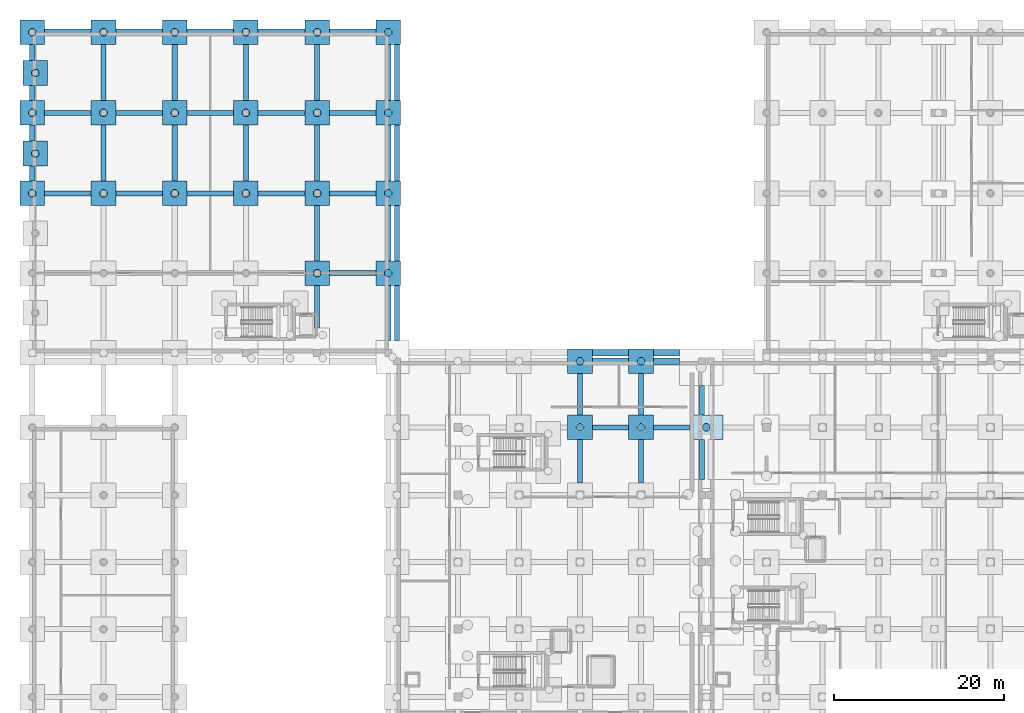
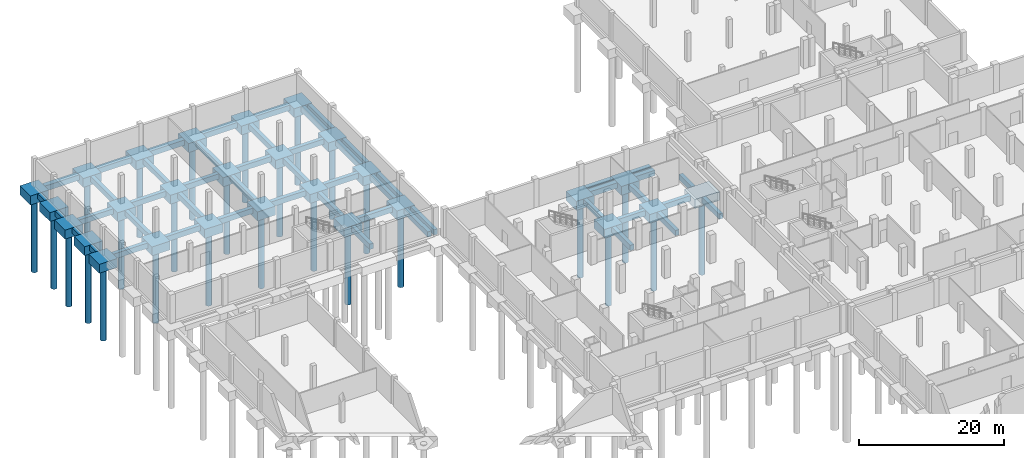
# One storey, part 8 of 29: 77 footings, 27 piles.
"""IFC4 building model written with IfcOpenShell, lengths in metres."""

from ifc_helpers import new_model, si_unit, direction, frame, origin, origin_2d, place, context, subcontext, project, spatial, polyline, rectangle, circle, outline, extrude, material, material_profile, profile_set, type_object, element, save


model = new_model("IFC4")

# Units and contexts
model_context = context("Model", 3, precision=1e-05, world=origin(), true_north=direction((0.0, 1.0)))
body_context = subcontext(model_context, "Body", "Model", "MODEL_VIEW")
ifc_project = project(units=[si_unit("LENGTHUNIT", "METRE"), si_unit("AREAUNIT", "SQUARE_METRE"), si_unit("VOLUMEUNIT", "CUBIC_METRE"), si_unit("PLANEANGLEUNIT", "RADIAN"), si_unit("MASSUNIT", "GRAM", prefix="KILO")], contexts=[model_context])

# Site, building, storey
site_placement = place(None, origin())
site = spatial("IfcSite", under=ifc_project, at=site_placement, CompositionType="ELEMENT")
building_placement = place(site_placement, origin())
building = spatial("IfcBuilding", under=site, at=building_placement, Name="Kelarvand Opera House", CompositionType="ELEMENT")
storey_placement = place(building_placement, frame((0.0, 0.0, -9.60009765625)))
storey = spatial("IfcBuildingStorey", under=building, at=storey_placement, Name="B2", CompositionType="ELEMENT", Elevation=-9.60009765625)

# Piles
ifc_material = material(Name="Concrete C40/50", Category="concrete")
ifc_material_profile = material_profile(ifc_material, circle(Radius=0.449951171875, at=origin_2d()), Name="BP 900", Category="concrete")
ifc_profile_set = profile_set([ifc_material_profile], Name="Concrete C40/50")
pile_type = type_object("IfcPileType", Name="Bored Pile 900 Concrete C40/50", PredefinedType="BORED", material=ifc_profile_set)
for number, where, z_axis, x_axis, name in (
    (1, (73.60009765625, 78.39990234375, -1.7998046875), (0.0, 0.0, -1.0), (1.0, 0.0, 0.0), "V2 Bored Pile 205"),
    (2, (80.800048828125, 78.39990234375, -1.7998046875), (0.0, 0.0, -1.0), (1.0, 0.0, 0.0), "V2 Bored Pile 206"),
    (3, (88.5, 78.39990234375, -1.7998046875), (0.0, 0.0, -1.0), (1.0, 0.0, 0.0), "V1 Bored Pile 207"),
    (4, (73.60009765625, 86.199951171875, -1.7998046875), (0.0, 0.0, -1.0), (1.0, 0.0, 0.0), "V2 Bored Pile 219"),
    (5, (80.800048828125, 86.199951171875, -1.7998046875), (0.0, 0.0, -1.0), (1.0, 0.0, 0.0), "V2 Bored Pile 220"),
    (6, (42.60009765625, 96.60009765625, -1.7998046875), (0.0, 0.0, -1.0), (1.0, 0.0, 0.0), "V3 Bored Pile 250"),
    (7, (51.0, 96.60009765625, -1.7998046875), (0.0, 0.0, -1.0), (1.0, 0.0, 0.0), "V3 Bored Pile 251"),
    (8, (9.0, 106.0, -1.7998046875), (0.0, 0.0, -1.0), (1.0, 0.0, 0.0), "V3 Bored Pile 260"),
    (9, (17.39990234375, 106.0, -1.7998046875), (0.0, 0.0, -1.0), (1.0, 0.0, 0.0), "V3 Bored Pile 261"),
    (10, (25.800048828125, 106.0, -1.7998046875), (0.0, 0.0, -1.0), (1.0, 0.0, 0.0), "V3 Bored Pile 262"),
    (11, (34.199951171875, 106.0, -1.7998046875), (0.0, 0.0, -1.0), (1.0, 0.0, 0.0), "V3 Bored Pile 263"),
    (12, (42.60009765625, 106.0, -1.7998046875), (0.0, 0.0, -1.0), (1.0, 0.0, 0.0), "V3 Bored Pile 264"),
    (13, (51.0, 106.0, -1.7998046875), (0.0, 0.0, -1.0), (1.0, 0.0, 0.0), "V3 Bored Pile 265"),
    (14, (9.35009765625, 110.699951171875, -1.7998046875), (0.0, 0.0, -1.0), (1.0, 0.0, 0.0), "V3 Bored Pile 273"),
    (15, (9.0, 115.5, -1.7998046875), (0.0, 0.0, -1.0), (1.0, 0.0, 0.0), "V3 Bored Pile 274"),
    (16, (17.39990234375, 115.5, -1.7998046875), (0.0, 0.0, -1.0), (1.0, 0.0, 0.0), "V3 Bored Pile 275"),
    (17, (25.800048828125, 115.5, -1.7998046875), (0.0, 0.0, -1.0), (1.0, 0.0, 0.0), "V3 Bored Pile 276"),
    (18, (34.199951171875, 115.5, -1.7998046875), (0.0, 0.0, -1.0), (1.0, 0.0, 0.0), "V3 Bored Pile 277"),
    (19, (42.60009765625, 115.5, -1.7998046875), (0.0, 0.0, -1.0), (1.0, 0.0, 0.0), "V3 Bored Pile 278"),
    (20, (51.0, 115.5, -1.7998046875), (0.0, 0.0, -1.0), (1.0, 0.0, 0.0), "V3 Bored Pile 279"),
    (21, (9.35009765625, 120.199951171875, -1.7998046875), (0.0, 0.0, -1.0), (1.0, 0.0, 0.0), "V3 Bored Pile 287"),
    (22, (9.0, 125.0, -1.7998046875), (0.0, 0.0, -1.0), (1.0, 0.0, 0.0), "V3 Bored Pile 288"),
    (23, (17.39990234375, 125.0, -1.7998046875), (0.0, 0.0, -1.0), (1.0, 0.0, 0.0), "V3 Bored Pile 289"),
    (24, (25.800048828125, 125.0, -1.7998046875), (0.0, 0.0, -1.0), (1.0, 0.0, 0.0), "V3 Bored Pile 290"),
    (25, (34.199951171875, 125.0, -1.7998046875), (0.0, 0.0, -1.0), (1.0, 0.0, 0.0), "V3 Bored Pile 291"),
    (26, (42.60009765625, 125.0, -1.7998046875), (0.0, 0.0, -1.0), (1.0, 0.0, 0.0), "V3 Bored Pile 292"),
    (27, (51.0, 125.0, -1.7998046875), (0.0, 0.0, -1.0), (1.0, 0.0, 0.0), "V3 Bored Pile 293"),
):
    element("IfcPile", number, at=place(storey_placement, frame(where, z_axis=z_axis, x_axis=x_axis)), inside=storey, type_object=pile_type, Name=name, PredefinedType="BORED", context=body_context, shape_type="SweptSolid", body=[
        extrude(circle(Radius=0.449951171875, at=origin_2d()), origin(), (0.0, 0.0, 1.0), 12.60009765625),
    ])

# Footings
footing_type_1 = type_object("IfcFootingType", Name="Ground Tie Beam 600x900 Concrete C40/50", PredefinedType="FOOTING_BEAM", material=ifc_material)
footing_1_placement = place(storey_placement, frame((0.0, 0.0, -1.2998046875)))
element("IfcFooting", 28, at=footing_1_placement, inside=storey, type_object=footing_type_1, Name="Ground Beam 175", PredefinedType="FOOTING_BEAM", context=body_context, shape_type="SweptSolid", body=[
    extrude(outline(polyline([(75.050048828125, 78.10009765625), (79.35009765625, 78.10009765625), (79.35009765625, 78.699951171875), (75.050048828125, 78.699951171875), (75.050048828125, 78.10009765625)])), origin(), (0.0, 0.0, 1.0), 0.89990234375),
])
footing_2_placement = place(storey_placement, frame((0.0, 0.0, -1.2998046875)))
element("IfcFooting", 29, at=footing_2_placement, inside=storey, type_object=footing_type_1, Name="Ground Beam 176", PredefinedType="FOOTING_BEAM", context=body_context, shape_type="SweptSolid", body=[
    extrude(outline(polyline([(82.25, 78.10009765625), (86.550048828125, 78.10009765625), (86.550048828125, 78.699951171875), (82.25, 78.699951171875), (82.25, 78.10009765625)])), origin(), (0.0, 0.0, 1.0), 0.89990234375),
])
footing_3_placement = place(storey_placement, frame((0.0, 0.0, -1.2998046875)))
element("IfcFooting", 30, at=footing_3_placement, inside=storey, type_object=footing_type_1, Name="Ground Beam 223", PredefinedType="FOOTING_BEAM", context=body_context, shape_type="SweptSolid", body=[
    extrude(outline(polyline([(44.050048828125, 96.300048828125), (49.550048828125, 96.300048828125), (49.550048828125, 96.89990234375), (44.050048828125, 96.89990234375), (44.050048828125, 96.300048828125)])), origin(), (0.0, 0.0, 1.0), 0.89990234375),
])
footing_4_placement = place(storey_placement, frame((0.0, 0.0, -1.2998046875)))
element("IfcFooting", 31, at=footing_4_placement, inside=storey, type_object=footing_type_1, Name="Ground Beam 230", PredefinedType="FOOTING_BEAM", context=body_context, shape_type="SweptSolid", body=[
    extrude(outline(polyline([(10.449951171875, 105.699951171875), (15.949951171875, 105.699951171875), (15.949951171875, 106.300048828125), (10.449951171875, 106.300048828125), (10.449951171875, 105.699951171875)])), origin(), (0.0, 0.0, 1.0), 0.89990234375),
])
footing_5_placement = place(storey_placement, frame((0.0, 0.0, -1.2998046875)))
element("IfcFooting", 32, at=footing_5_placement, inside=storey, type_object=footing_type_1, Name="Ground Beam 231", PredefinedType="FOOTING_BEAM", context=body_context, shape_type="SweptSolid", body=[
    extrude(outline(polyline([(18.85009765625, 105.699951171875), (24.35009765625, 105.699951171875), (24.35009765625, 106.300048828125), (18.85009765625, 106.300048828125), (18.85009765625, 105.699951171875)])), origin(), (0.0, 0.0, 1.0), 0.89990234375),
])
footing_6_placement = place(storey_placement, frame((0.0, 0.0, -1.2998046875)))
element("IfcFooting", 33, at=footing_6_placement, inside=storey, type_object=footing_type_1, Name="Ground Beam 232", PredefinedType="FOOTING_BEAM", context=body_context, shape_type="SweptSolid", body=[
    extrude(outline(polyline([(27.25, 105.699951171875), (32.75, 105.699951171875), (32.75, 106.300048828125), (27.25, 106.300048828125), (27.25, 105.699951171875)])), origin(), (0.0, 0.0, 1.0), 0.89990234375),
])
footing_7_placement = place(storey_placement, frame((0.0, 0.0, -1.2998046875)))
element("IfcFooting", 34, at=footing_7_placement, inside=storey, type_object=footing_type_1, Name="Ground Beam 233", PredefinedType="FOOTING_BEAM", context=body_context, shape_type="SweptSolid", body=[
    extrude(outline(polyline([(35.64990234375, 105.699951171875), (41.14990234375, 105.699951171875), (41.14990234375, 106.300048828125), (35.64990234375, 106.300048828125), (35.64990234375, 105.699951171875)])), origin(), (0.0, 0.0, 1.0), 0.89990234375),
])
footing_8_placement = place(storey_placement, frame((0.0, 0.0, -1.2998046875)))
element("IfcFooting", 35, at=footing_8_placement, inside=storey, type_object=footing_type_1, Name="Ground Beam 234", PredefinedType="FOOTING_BEAM", context=body_context, shape_type="SweptSolid", body=[
    extrude(outline(polyline([(44.050048828125, 105.699951171875), (49.550048828125, 105.699951171875), (49.550048828125, 106.300048828125), (44.050048828125, 106.300048828125), (44.050048828125, 105.699951171875)])), origin(), (0.0, 0.0, 1.0), 0.89990234375),
])
footing_9_placement = place(storey_placement, frame((0.0, 0.0, -1.2998046875)))
element("IfcFooting", 36, at=footing_9_placement, inside=storey, type_object=footing_type_1, Name="Ground Beam 241", PredefinedType="FOOTING_BEAM", context=body_context, shape_type="SweptSolid", body=[
    extrude(outline(polyline([(10.449951171875, 115.199951171875), (15.949951171875, 115.199951171875), (15.949951171875, 115.800048828125), (10.449951171875, 115.800048828125), (10.449951171875, 115.199951171875)])), origin(), (0.0, 0.0, 1.0), 0.89990234375),
])
footing_10_placement = place(storey_placement, frame((0.0, 0.0, -1.2998046875)))
element("IfcFooting", 37, at=footing_10_placement, inside=storey, type_object=footing_type_1, Name="Ground Beam 242", PredefinedType="FOOTING_BEAM", context=body_context, shape_type="SweptSolid", body=[
    extrude(outline(polyline([(18.85009765625, 115.199951171875), (24.35009765625, 115.199951171875), (24.35009765625, 115.800048828125), (18.85009765625, 115.800048828125), (18.85009765625, 115.199951171875)])), origin(), (0.0, 0.0, 1.0), 0.89990234375),
])
footing_11_placement = place(storey_placement, frame((0.0, 0.0, -1.2998046875)))
element("IfcFooting", 38, at=footing_11_placement, inside=storey, type_object=footing_type_1, Name="Ground Beam 243", PredefinedType="FOOTING_BEAM", context=body_context, shape_type="SweptSolid", body=[
    extrude(outline(polyline([(27.25, 115.199951171875), (32.75, 115.199951171875), (32.75, 115.800048828125), (27.25, 115.800048828125), (27.25, 115.199951171875)])), origin(), (0.0, 0.0, 1.0), 0.89990234375),
])
footing_12_placement = place(storey_placement, frame((0.0, 0.0, -1.2998046875)))
element("IfcFooting", 39, at=footing_12_placement, inside=storey, type_object=footing_type_1, Name="Ground Beam 244", PredefinedType="FOOTING_BEAM", context=body_context, shape_type="SweptSolid", body=[
    extrude(outline(polyline([(35.64990234375, 115.199951171875), (41.14990234375, 115.199951171875), (41.14990234375, 115.800048828125), (35.64990234375, 115.800048828125), (35.64990234375, 115.199951171875)])), origin(), (0.0, 0.0, 1.0), 0.89990234375),
])
footing_13_placement = place(storey_placement, frame((0.0, 0.0, -1.2998046875)))
element("IfcFooting", 40, at=footing_13_placement, inside=storey, type_object=footing_type_1, Name="Ground Beam 245", PredefinedType="FOOTING_BEAM", context=body_context, shape_type="SweptSolid", body=[
    extrude(outline(polyline([(44.050048828125, 115.199951171875), (49.550048828125, 115.199951171875), (49.550048828125, 115.800048828125), (44.050048828125, 115.800048828125), (44.050048828125, 115.199951171875)])), origin(), (0.0, 0.0, 1.0), 0.89990234375),
])
footing_14_placement = place(storey_placement, frame((0.0, 0.0, -1.2998046875)))
element("IfcFooting", 41, at=footing_14_placement, inside=storey, type_object=footing_type_1, Name="Ground Beam 273", PredefinedType="FOOTING_BEAM", context=body_context, shape_type="SweptSolid", body=[
    extrude(outline(polyline([(8.699951171875, 107.449951171875), (9.300048828125, 107.449951171875), (9.300048828125, 109.25), (8.699951171875, 109.25), (8.699951171875, 107.449951171875)])), origin(), (0.0, 0.0, 1.0), 0.89990234375),
])
footing_15_placement = place(storey_placement, frame((0.0, 0.0, -1.2998046875)))
element("IfcFooting", 42, at=footing_15_placement, inside=storey, type_object=footing_type_1, Name="Ground Beam 274", PredefinedType="FOOTING_BEAM", context=body_context, shape_type="SweptSolid", body=[
    extrude(outline(polyline([(8.699951171875, 112.14990234375), (9.300048828125, 112.14990234375), (9.300048828125, 114.050048828125), (8.699951171875, 114.050048828125), (8.699951171875, 112.14990234375)])), origin(), (0.0, 0.0, 1.0), 0.89990234375),
])
footing_16_placement = place(storey_placement, frame((0.0, 0.0, -1.2998046875)))
element("IfcFooting", 43, at=footing_16_placement, inside=storey, type_object=footing_type_1, Name="Ground Beam 275", PredefinedType="FOOTING_BEAM", context=body_context, shape_type="SweptSolid", body=[
    extrude(outline(polyline([(8.699951171875, 116.949951171875), (9.300048828125, 116.949951171875), (9.300048828125, 118.75), (8.699951171875, 118.75), (8.699951171875, 116.949951171875)])), origin(), (0.0, 0.0, 1.0), 0.89990234375),
])
footing_17_placement = place(storey_placement, frame((0.0, 0.0, -1.2998046875)))
element("IfcFooting", 44, at=footing_17_placement, inside=storey, type_object=footing_type_1, Name="Ground Beam 276", PredefinedType="FOOTING_BEAM", context=body_context, shape_type="SweptSolid", body=[
    extrude(outline(polyline([(8.699951171875, 121.64990234375), (9.300048828125, 121.64990234375), (9.300048828125, 123.550048828125), (8.699951171875, 123.550048828125), (8.699951171875, 121.64990234375)])), origin(), (0.0, 0.0, 1.0), 0.89990234375),
])
footing_18_placement = place(storey_placement, frame((0.0, 0.0, -1.2998046875)))
element("IfcFooting", 45, at=footing_18_placement, inside=storey, type_object=footing_type_1, Name="Ground Beam 289", PredefinedType="FOOTING_BEAM", context=body_context, shape_type="SweptSolid", body=[
    extrude(outline(polyline([(17.10009765625, 107.449951171875), (17.699951171875, 107.449951171875), (17.699951171875, 114.050048828125), (17.10009765625, 114.050048828125), (17.10009765625, 107.449951171875)])), origin(), (0.0, 0.0, 1.0), 0.89990234375),
])
footing_19_placement = place(storey_placement, frame((0.0, 0.0, -1.2998046875)))
element("IfcFooting", 46, at=footing_19_placement, inside=storey, type_object=footing_type_1, Name="Ground Beam 290", PredefinedType="FOOTING_BEAM", context=body_context, shape_type="SweptSolid", body=[
    extrude(outline(polyline([(17.10009765625, 116.949951171875), (17.699951171875, 116.949951171875), (17.699951171875, 123.550048828125), (17.10009765625, 123.550048828125), (17.10009765625, 116.949951171875)])), origin(), (0.0, 0.0, 1.0), 0.89990234375),
])
footing_20_placement = place(storey_placement, frame((0.0, 0.0, -1.2998046875)))
element("IfcFooting", 47, at=footing_20_placement, inside=storey, type_object=footing_type_1, Name="Ground Beam 303", PredefinedType="FOOTING_BEAM", context=body_context, shape_type="SweptSolid", body=[
    extrude(outline(polyline([(25.5, 107.449951171875), (26.10009765625, 107.449951171875), (26.10009765625, 114.050048828125), (25.5, 114.050048828125), (25.5, 107.449951171875)])), origin(), (0.0, 0.0, 1.0), 0.89990234375),
])
footing_21_placement = place(storey_placement, frame((0.0, 0.0, -1.2998046875)))
element("IfcFooting", 48, at=footing_21_placement, inside=storey, type_object=footing_type_1, Name="Ground Beam 304", PredefinedType="FOOTING_BEAM", context=body_context, shape_type="SweptSolid", body=[
    extrude(outline(polyline([(25.5, 116.949951171875), (26.10009765625, 116.949951171875), (26.10009765625, 123.550048828125), (25.5, 123.550048828125), (25.5, 116.949951171875)])), origin(), (0.0, 0.0, 1.0), 0.89990234375),
])
footing_22_placement = place(storey_placement, frame((0.0, 0.0, -1.2998046875)))
element("IfcFooting", 49, at=footing_22_placement, inside=storey, type_object=footing_type_1, Name="Ground Beam 311", PredefinedType="FOOTING_BEAM", context=body_context, shape_type="SweptSolid", body=[
    extrude(outline(polyline([(33.89990234375, 107.449951171875), (34.5, 107.449951171875), (34.5, 114.050048828125), (33.89990234375, 114.050048828125), (33.89990234375, 107.449951171875)])), origin(), (0.0, 0.0, 1.0), 0.89990234375),
])
footing_23_placement = place(storey_placement, frame((0.0, 0.0, -1.2998046875)))
element("IfcFooting", 50, at=footing_23_placement, inside=storey, type_object=footing_type_1, Name="Ground Beam 312", PredefinedType="FOOTING_BEAM", context=body_context, shape_type="SweptSolid", body=[
    extrude(outline(polyline([(33.89990234375, 116.949951171875), (34.5, 116.949951171875), (34.5, 123.550048828125), (33.89990234375, 123.550048828125), (33.89990234375, 116.949951171875)])), origin(), (0.0, 0.0, 1.0), 0.89990234375),
])
footing_24_placement = place(storey_placement, frame((0.0, 0.0, -1.2998046875)))
element("IfcFooting", 51, at=footing_24_placement, inside=storey, type_object=footing_type_1, Name="Ground Beam 317", PredefinedType="FOOTING_BEAM", context=body_context, shape_type="SweptSolid", body=[
    extrude(outline(polyline([(42.300048828125, 90.10009765625), (42.89990234375, 90.10009765625), (42.89990234375, 95.14990234375), (42.300048828125, 95.14990234375), (42.300048828125, 90.10009765625)])), origin(), (0.0, 0.0, 1.0), 0.89990234375),
])
footing_25_placement = place(storey_placement, frame((0.0, 0.0, -1.2998046875)))
element("IfcFooting", 52, at=footing_25_placement, inside=storey, type_object=footing_type_1, Name="Ground Beam 318", PredefinedType="FOOTING_BEAM", context=body_context, shape_type="SweptSolid", body=[
    extrude(outline(polyline([(42.300048828125, 98.050048828125), (42.89990234375, 98.050048828125), (42.89990234375, 104.550048828125), (42.300048828125, 104.550048828125), (42.300048828125, 98.050048828125)])), origin(), (0.0, 0.0, 1.0), 0.89990234375),
])
footing_26_placement = place(storey_placement, frame((0.0, 0.0, -1.2998046875)))
element("IfcFooting", 53, at=footing_26_placement, inside=storey, type_object=footing_type_1, Name="Ground Beam 319", PredefinedType="FOOTING_BEAM", context=body_context, shape_type="SweptSolid", body=[
    extrude(outline(polyline([(42.300048828125, 107.449951171875), (42.89990234375, 107.449951171875), (42.89990234375, 114.050048828125), (42.300048828125, 114.050048828125), (42.300048828125, 107.449951171875)])), origin(), (0.0, 0.0, 1.0), 0.89990234375),
])
footing_27_placement = place(storey_placement, frame((0.0, 0.0, -1.2998046875)))
element("IfcFooting", 54, at=footing_27_placement, inside=storey, type_object=footing_type_1, Name="Ground Beam 320", PredefinedType="FOOTING_BEAM", context=body_context, shape_type="SweptSolid", body=[
    extrude(outline(polyline([(42.300048828125, 116.949951171875), (42.89990234375, 116.949951171875), (42.89990234375, 123.550048828125), (42.300048828125, 123.550048828125), (42.300048828125, 116.949951171875)])), origin(), (0.0, 0.0, 1.0), 0.89990234375),
])
footing_28_placement = place(storey_placement, frame((0.0, 0.0, -1.2998046875)))
element("IfcFooting", 55, at=footing_28_placement, inside=storey, type_object=footing_type_1, Name="Ground Beam 331", PredefinedType="FOOTING_BEAM", context=body_context, shape_type="SweptSolid", body=[
    extrude(outline(polyline([(50.699951171875, 88.64990234375), (51.300048828125, 88.64990234375), (51.300048828125, 95.14990234375), (50.699951171875, 95.14990234375), (50.699951171875, 88.64990234375)])), origin(), (0.0, 0.0, 1.0), 0.89990234375),
])
footing_29_placement = place(storey_placement, frame((0.0, 0.0, -1.2998046875)))
element("IfcFooting", 56, at=footing_29_placement, inside=storey, type_object=footing_type_1, Name="Ground Beam 332", PredefinedType="FOOTING_BEAM", context=body_context, shape_type="SweptSolid", body=[
    extrude(outline(polyline([(50.699951171875, 98.050048828125), (51.300048828125, 98.050048828125), (51.300048828125, 104.550048828125), (50.699951171875, 104.550048828125), (50.699951171875, 98.050048828125)])), origin(), (0.0, 0.0, 1.0), 0.89990234375),
])
footing_30_placement = place(storey_placement, frame((0.0, 0.0, -1.2998046875)))
element("IfcFooting", 57, at=footing_30_placement, inside=storey, type_object=footing_type_1, Name="Ground Beam 333", PredefinedType="FOOTING_BEAM", context=body_context, shape_type="SweptSolid", body=[
    extrude(outline(polyline([(50.699951171875, 107.449951171875), (51.300048828125, 107.449951171875), (51.300048828125, 114.050048828125), (50.699951171875, 114.050048828125), (50.699951171875, 107.449951171875)])), origin(), (0.0, 0.0, 1.0), 0.89990234375),
])
footing_31_placement = place(storey_placement, frame((0.0, 0.0, -1.2998046875)))
element("IfcFooting", 58, at=footing_31_placement, inside=storey, type_object=footing_type_1, Name="Ground Beam 334", PredefinedType="FOOTING_BEAM", context=body_context, shape_type="SweptSolid", body=[
    extrude(outline(polyline([(50.699951171875, 116.949951171875), (51.300048828125, 116.949951171875), (51.300048828125, 123.550048828125), (50.699951171875, 123.550048828125), (50.699951171875, 116.949951171875)])), origin(), (0.0, 0.0, 1.0), 0.89990234375),
])
footing_32_placement = place(storey_placement, frame((0.0, 0.0, -1.2998046875)))
element("IfcFooting", 59, at=footing_32_placement, inside=storey, type_object=footing_type_1, Name="Ground Beam 345", PredefinedType="FOOTING_BEAM", context=body_context, shape_type="SweptSolid", body=[
    extrude(outline(polyline([(51.699951171875, 88.64990234375), (52.300048828125, 88.64990234375), (52.300048828125, 95.14990234375), (51.699951171875, 95.14990234375), (51.699951171875, 88.64990234375)])), origin(), (0.0, 0.0, 1.0), 0.89990234375),
])
footing_33_placement = place(storey_placement, frame((0.0, 0.0, -1.2998046875)))
element("IfcFooting", 60, at=footing_33_placement, inside=storey, type_object=footing_type_1, Name="Ground Beam 346", PredefinedType="FOOTING_BEAM", context=body_context, shape_type="SweptSolid", body=[
    extrude(outline(polyline([(51.699951171875, 98.050048828125), (52.300048828125, 98.050048828125), (52.300048828125, 104.550048828125), (51.699951171875, 104.550048828125), (51.699951171875, 98.050048828125)])), origin(), (0.0, 0.0, 1.0), 0.89990234375),
])
footing_34_placement = place(storey_placement, frame((0.0, 0.0, -1.2998046875)))
element("IfcFooting", 61, at=footing_34_placement, inside=storey, type_object=footing_type_1, Name="Ground Beam 347", PredefinedType="FOOTING_BEAM", context=body_context, shape_type="SweptSolid", body=[
    extrude(outline(polyline([(51.699951171875, 107.449951171875), (52.300048828125, 107.449951171875), (52.300048828125, 114.050048828125), (51.699951171875, 114.050048828125), (51.699951171875, 107.449951171875)])), origin(), (0.0, 0.0, 1.0), 0.89990234375),
])
footing_35_placement = place(storey_placement, frame((0.0, 0.0, -1.2998046875)))
element("IfcFooting", 62, at=footing_35_placement, inside=storey, type_object=footing_type_1, Name="Ground Beam 348", PredefinedType="FOOTING_BEAM", context=body_context, shape_type="SweptSolid", body=[
    extrude(outline(polyline([(51.699951171875, 116.949951171875), (52.300048828125, 116.949951171875), (52.300048828125, 123.550048828125), (51.699951171875, 123.550048828125), (51.699951171875, 116.949951171875)])), origin(), (0.0, 0.0, 1.0), 0.89990234375),
])
footing_36_placement = place(storey_placement, frame((0.0, 0.0, -1.2998046875)))
element("IfcFooting", 63, at=footing_36_placement, inside=storey, type_object=footing_type_1, Name="Ground Beam 365", PredefinedType="FOOTING_BEAM", context=body_context, shape_type="SweptSolid", body=[
    extrude(outline(polyline([(73.300048828125, 71.85009765625), (73.89990234375, 71.85009765625), (73.89990234375, 76.949951171875), (73.300048828125, 76.949951171875), (73.300048828125, 71.85009765625)])), origin(), (0.0, 0.0, 1.0), 0.89990234375),
])
footing_37_placement = place(storey_placement, frame((0.0, 0.0, -1.2998046875)))
element("IfcFooting", 64, at=footing_37_placement, inside=storey, type_object=footing_type_1, Name="Ground Beam 366", PredefinedType="FOOTING_BEAM", context=body_context, shape_type="SweptSolid", body=[
    extrude(outline(polyline([(73.300048828125, 79.85009765625), (73.89990234375, 79.85009765625), (73.89990234375, 84.75), (73.300048828125, 84.75), (73.300048828125, 79.85009765625)])), origin(), (0.0, 0.0, 1.0), 0.89990234375),
])
footing_38_placement = place(storey_placement, frame((0.0, 0.0, -1.2998046875)))
element("IfcFooting", 65, at=footing_38_placement, inside=storey, type_object=footing_type_1, Name="Ground Beam 371", PredefinedType="FOOTING_BEAM", context=body_context, shape_type="SweptSolid", body=[
    extrude(outline(polyline([(80.5, 71.85009765625), (81.10009765625, 71.85009765625), (81.10009765625, 76.949951171875), (80.5, 76.949951171875), (80.5, 71.85009765625)])), origin(), (0.0, 0.0, 1.0), 0.89990234375),
])
footing_39_placement = place(storey_placement, frame((0.0, 0.0, -1.2998046875)))
element("IfcFooting", 66, at=footing_39_placement, inside=storey, type_object=footing_type_1, Name="Ground Beam 372", PredefinedType="FOOTING_BEAM", context=body_context, shape_type="SweptSolid", body=[
    extrude(outline(polyline([(80.5, 79.85009765625), (81.10009765625, 79.85009765625), (81.10009765625, 84.75), (80.5, 84.75), (80.5, 79.85009765625)])), origin(), (0.0, 0.0, 1.0), 0.89990234375),
])
footing_40_placement = place(storey_placement, frame((0.0, 0.0, -1.2998046875)))
element("IfcFooting", 67, at=footing_40_placement, inside=storey, type_object=footing_type_1, Name="Ground Beam 381", PredefinedType="FOOTING_BEAM", context=body_context, shape_type="SweptSolid", body=[
    extrude(outline(polyline([(87.699951171875, 72.25), (88.300048828125, 72.25), (88.300048828125, 76.949951171875), (87.699951171875, 76.949951171875), (87.699951171875, 72.25)])), origin(), (0.0, 0.0, 1.0), 0.89990234375),
])
footing_41_placement = place(storey_placement, frame((0.0, 0.0, -1.2998046875)))
element("IfcFooting", 68, at=footing_41_placement, inside=storey, type_object=footing_type_1, Name="Ground Beam 382", PredefinedType="FOOTING_BEAM", context=body_context, shape_type="SweptSolid", body=[
    extrude(outline(polyline([(87.699951171875, 79.85009765625), (88.300048828125, 79.85009765625), (88.300048828125, 83.35009765625), (87.699951171875, 83.35009765625), (87.699951171875, 79.85009765625)])), origin(), (0.0, 0.0, 1.0), 0.89990234375),
])
footing_type_2 = type_object("IfcFootingType", Name="Perimeter Strip Footing 750x900 Concrete C40/50", PredefinedType="STRIP_FOOTING", material=ifc_material)
footing_42_placement = place(storey_placement, frame((0.0, 0.0, -1.2998046875)))
element("IfcFooting", 69, at=footing_42_placement, inside=storey, type_object=footing_type_2, Name="Ground Beam 193", PredefinedType="STRIP_FOOTING", context=body_context, shape_type="SweptSolid", body=[
    extrude(outline(polyline([(75.050048828125, 85.824951171875), (79.35009765625, 85.824951171875), (79.35009765625, 86.574951171875), (75.050048828125, 86.574951171875), (75.050048828125, 85.824951171875)])), origin(), (0.0, 0.0, 1.0), 0.89990234375),
])
footing_43_placement = place(storey_placement, frame((0.0, 0.0, -1.2998046875)))
element("IfcFooting", 70, at=footing_43_placement, inside=storey, type_object=footing_type_2, Name="Ground Beam 194", PredefinedType="STRIP_FOOTING", context=body_context, shape_type="SweptSolid", body=[
    extrude(outline(polyline([(82.25, 85.824951171875), (85.35009765625, 85.824951171875), (85.35009765625, 86.574951171875), (82.25, 86.574951171875), (82.25, 85.824951171875)])), origin(), (0.0, 0.0, 1.0), 0.89990234375),
])
footing_44_placement = place(storey_placement, frame((0.0, 0.0, -1.2998046875)))
element("IfcFooting", 71, at=footing_44_placement, inside=storey, type_object=footing_type_2, Name="Ground Beam 210", PredefinedType="STRIP_FOOTING", context=body_context, shape_type="SweptSolid", body=[
    extrude(outline(polyline([(75.050048828125, 86.824951171875), (79.35009765625, 86.824951171875), (79.35009765625, 87.574951171875), (75.050048828125, 87.574951171875), (75.050048828125, 86.824951171875)])), origin(), (0.0, 0.0, 1.0), 0.89990234375),
])
footing_45_placement = place(storey_placement, frame((0.0, 0.0, -1.2998046875)))
element("IfcFooting", 72, at=footing_45_placement, inside=storey, type_object=footing_type_2, Name="Ground Beam 211", PredefinedType="STRIP_FOOTING", context=body_context, shape_type="SweptSolid", body=[
    extrude(outline(polyline([(82.25, 86.824951171875), (85.35009765625, 86.824951171875), (85.35009765625, 87.574951171875), (82.25, 87.574951171875), (82.25, 86.824951171875)])), origin(), (0.0, 0.0, 1.0), 0.89990234375),
])
footing_46_placement = place(storey_placement, frame((0.0, 0.0, -1.2998046875)))
element("IfcFooting", 73, at=footing_46_placement, inside=storey, type_object=footing_type_2, Name="Ground Beam 252", PredefinedType="STRIP_FOOTING", context=body_context, shape_type="SweptSolid", body=[
    extrude(outline(polyline([(10.449951171875, 124.625), (15.949951171875, 124.625), (15.949951171875, 125.375), (10.449951171875, 125.375), (10.449951171875, 124.625)])), origin(), (0.0, 0.0, 1.0), 0.89990234375),
])
footing_47_placement = place(storey_placement, frame((0.0, 0.0, -1.2998046875)))
element("IfcFooting", 74, at=footing_47_placement, inside=storey, type_object=footing_type_2, Name="Ground Beam 253", PredefinedType="STRIP_FOOTING", context=body_context, shape_type="SweptSolid", body=[
    extrude(outline(polyline([(18.85009765625, 124.625), (24.35009765625, 124.625), (24.35009765625, 125.375), (18.85009765625, 125.375), (18.85009765625, 124.625)])), origin(), (0.0, 0.0, 1.0), 0.89990234375),
])
footing_48_placement = place(storey_placement, frame((0.0, 0.0, -1.2998046875)))
element("IfcFooting", 75, at=footing_48_placement, inside=storey, type_object=footing_type_2, Name="Ground Beam 254", PredefinedType="STRIP_FOOTING", context=body_context, shape_type="SweptSolid", body=[
    extrude(outline(polyline([(27.25, 124.625), (32.75, 124.625), (32.75, 125.375), (27.25, 125.375), (27.25, 124.625)])), origin(), (0.0, 0.0, 1.0), 0.89990234375),
])
footing_49_placement = place(storey_placement, frame((0.0, 0.0, -1.2998046875)))
element("IfcFooting", 76, at=footing_49_placement, inside=storey, type_object=footing_type_2, Name="Ground Beam 255", PredefinedType="STRIP_FOOTING", context=body_context, shape_type="SweptSolid", body=[
    extrude(outline(polyline([(35.64990234375, 124.625), (41.14990234375, 124.625), (41.14990234375, 125.375), (35.64990234375, 125.375), (35.64990234375, 124.625)])), origin(), (0.0, 0.0, 1.0), 0.89990234375),
])
footing_50_placement = place(storey_placement, frame((0.0, 0.0, -1.2998046875)))
element("IfcFooting", 77, at=footing_50_placement, inside=storey, type_object=footing_type_2, Name="Ground Beam 256", PredefinedType="STRIP_FOOTING", context=body_context, shape_type="SweptSolid", body=[
    extrude(outline(polyline([(44.050048828125, 124.625), (49.550048828125, 124.625), (49.550048828125, 125.375), (44.050048828125, 125.375), (44.050048828125, 124.625)])), origin(), (0.0, 0.0, 1.0), 0.89990234375),
])
footing_type_3 = type_object("IfcFootingType", Name="Pile Cap 2900x2900x1500 PC-01", PredefinedType="PILE_CAP", material=ifc_material)
for number, where, z_axis, x_axis, name in (
    (78, (73.60009765625, 78.39990234375, -1.89990234375), (0.0, 0.0, 1.0), (1.0, 0.0, 0.0), "V2 Pile Cap PC-01 (188)"),
    (79, (80.800048828125, 78.39990234375, -1.89990234375), (0.0, 0.0, 1.0), (1.0, 0.0, 0.0), "V2 Pile Cap PC-01 (189)"),
    (80, (73.60009765625, 86.199951171875, -1.89990234375), (0.0, 0.0, 1.0), (1.0, 0.0, 0.0), "V2 Pile Cap PC-01 (202)"),
    (81, (80.800048828125, 86.199951171875, -1.89990234375), (0.0, 0.0, 1.0), (1.0, 0.0, 0.0), "V2 Pile Cap PC-01 (203)"),
    (82, (42.60009765625, 96.60009765625, -1.89990234375), (0.0, 0.0, 1.0), (1.0, 0.0, 0.0), "V3 Pile Cap PC-01 (225)"),
    (83, (51.0, 96.60009765625, -1.89990234375), (0.0, 0.0, 1.0), (1.0, 0.0, 0.0), "V3 Pile Cap PC-01 (226)"),
    (84, (9.0, 106.0, -1.89990234375), (0.0, 0.0, 1.0), (1.0, 0.0, 0.0), "V3 Pile Cap PC-01 (235)"),
    (85, (17.39990234375, 106.0, -1.89990234375), (0.0, 0.0, 1.0), (1.0, 0.0, 0.0), "V3 Pile Cap PC-01 (236)"),
    (86, (25.800048828125, 106.0, -1.89990234375), (0.0, 0.0, 1.0), (1.0, 0.0, 0.0), "V3 Pile Cap PC-01 (237)"),
    (87, (34.199951171875, 106.0, -1.89990234375), (0.0, 0.0, 1.0), (1.0, 0.0, 0.0), "V3 Pile Cap PC-01 (238)"),
    (88, (42.60009765625, 106.0, -1.89990234375), (0.0, 0.0, 1.0), (1.0, 0.0, 0.0), "V3 Pile Cap PC-01 (239)"),
    (89, (51.0, 106.0, -1.89990234375), (0.0, 0.0, 1.0), (1.0, 0.0, 0.0), "V3 Pile Cap PC-01 (240)"),
    (90, (9.35009765625, 110.699951171875, -1.89990234375), (0.0, 0.0, 1.0), (1.0, 0.0, 0.0), "V3 Pile Cap PC-01 (248)"),
    (91, (9.0, 115.5, -1.89990234375), (0.0, 0.0, 1.0), (1.0, 0.0, 0.0), "V3 Pile Cap PC-01 (249)"),
    (92, (17.39990234375, 115.5, -1.89990234375), (0.0, 0.0, 1.0), (1.0, 0.0, 0.0), "V3 Pile Cap PC-01 (250)"),
    (93, (25.800048828125, 115.5, -1.89990234375), (0.0, 0.0, 1.0), (1.0, 0.0, 0.0), "V3 Pile Cap PC-01 (251)"),
    (94, (34.199951171875, 115.5, -1.89990234375), (0.0, 0.0, 1.0), (1.0, 0.0, 0.0), "V3 Pile Cap PC-01 (252)"),
    (95, (42.60009765625, 115.5, -1.89990234375), (0.0, 0.0, 1.0), (1.0, 0.0, 0.0), "V3 Pile Cap PC-01 (253)"),
    (96, (51.0, 115.5, -1.89990234375), (0.0, 0.0, 1.0), (1.0, 0.0, 0.0), "V3 Pile Cap PC-01 (254)"),
    (97, (9.35009765625, 120.199951171875, -1.89990234375), (0.0, 0.0, 1.0), (1.0, 0.0, 0.0), "V3 Pile Cap PC-01 (262)"),
    (98, (9.0, 125.0, -1.89990234375), (0.0, 0.0, 1.0), (1.0, 0.0, 0.0), "V3 Pile Cap PC-01 (263)"),
    (99, (17.39990234375, 125.0, -1.89990234375), (0.0, 0.0, 1.0), (1.0, 0.0, 0.0), "V3 Pile Cap PC-01 (264)"),
    (100, (25.800048828125, 125.0, -1.89990234375), (0.0, 0.0, 1.0), (1.0, 0.0, 0.0), "V3 Pile Cap PC-01 (265)"),
    (101, (34.199951171875, 125.0, -1.89990234375), (0.0, 0.0, 1.0), (1.0, 0.0, 0.0), "V3 Pile Cap PC-01 (266)"),
    (102, (42.60009765625, 125.0, -1.89990234375), (0.0, 0.0, 1.0), (1.0, 0.0, 0.0), "V3 Pile Cap PC-01 (267)"),
    (103, (51.0, 125.0, -1.89990234375), (0.0, 0.0, 1.0), (1.0, 0.0, 0.0), "V3 Pile Cap PC-01 (268)"),
):
    element("IfcFooting", number, at=place(storey_placement, frame(where, z_axis=z_axis, x_axis=x_axis)), inside=storey, type_object=footing_type_3, Name=name, PredefinedType="PILE_CAP", context=body_context, shape_type="SweptSolid", body=[
        extrude(rectangle(XDim=2.89990234375, YDim=2.89990234375, at=origin_2d()), origin(), (0.0, 0.0, 1.0), 1.5),
    ])
footing_type_4 = type_object("IfcFootingType", Name="Pile Cap 3900x2900x1500 PC-14", PredefinedType="PILE_CAP", material=ifc_material)
footing_51_placement = place(storey_placement, frame((88.5, 78.39990234375, -1.89990234375), z_axis=(0.0, 0.0, 1.0), x_axis=(1.0, 0.0, 0.0)))
element("IfcFooting", 104, at=footing_51_placement, inside=storey, type_object=footing_type_4, Name="V1 Pile Cap PC-14 (190)", PredefinedType="PILE_CAP", context=body_context, shape_type="SweptSolid", body=[
    extrude(rectangle(XDim=3.89990234375, YDim=2.89990234375, at=origin_2d()), origin(), (0.0, 0.0, 1.0), 1.5),
])

save(model, "model.ifc")
